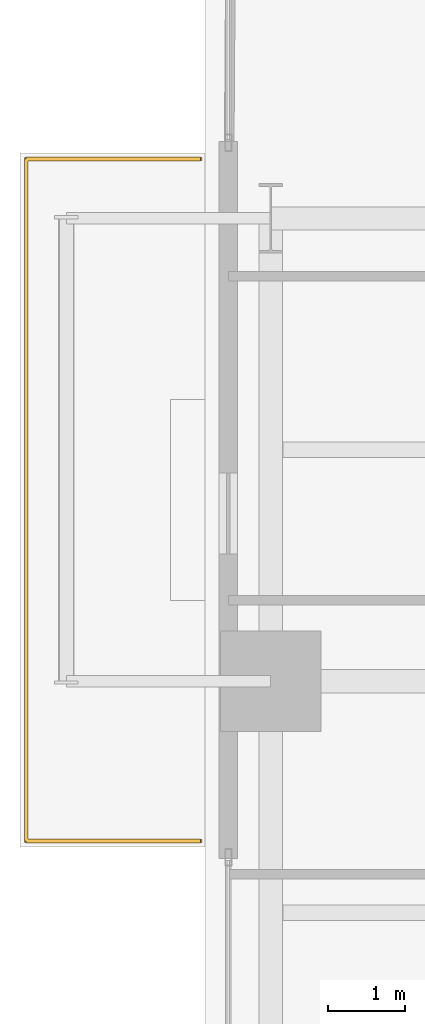
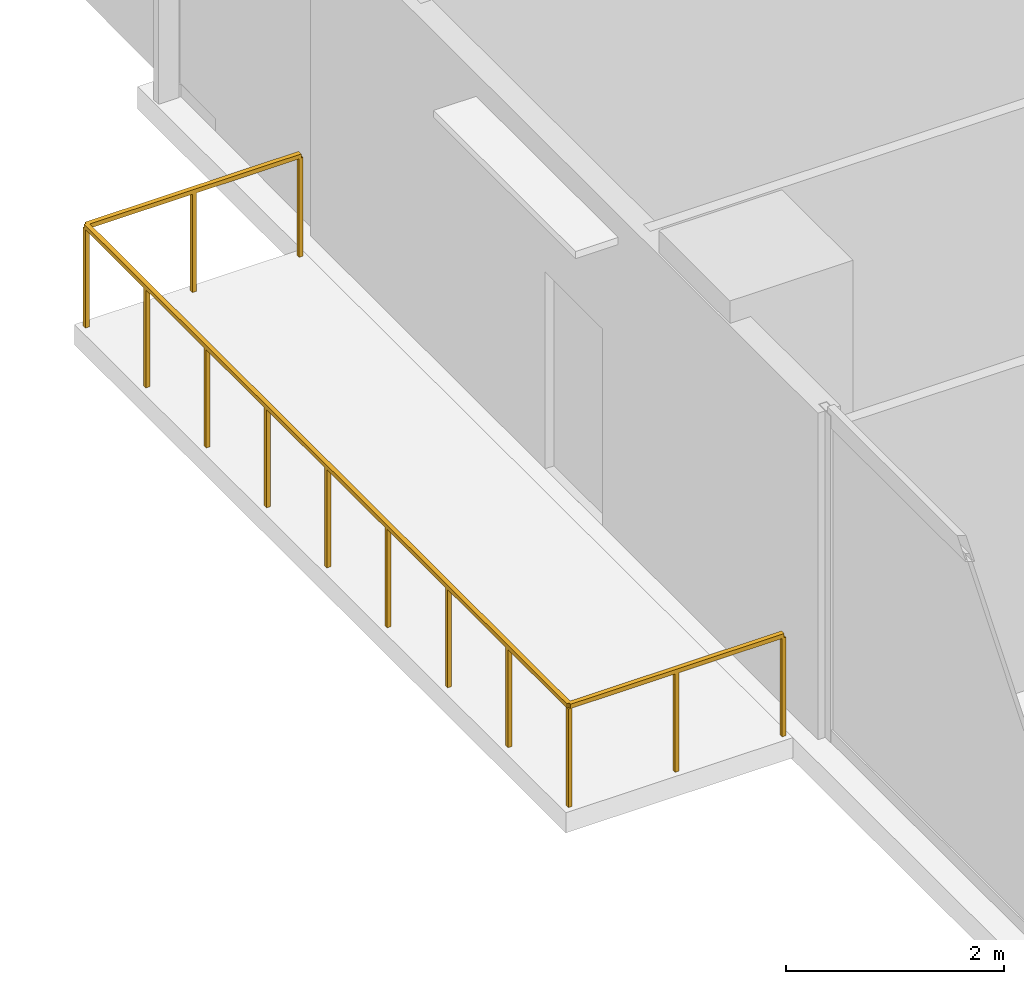
# One storey, part 27 of 27: 1 railing.
"""IFC4 building model written with IfcOpenShell, lengths in metres."""

from ifc_helpers import new_model, si_unit, direction, frame, origin, origin_2d, place, context, subcontext, project, spatial, rectangle, extrude, material, type_object, element, save


model = new_model("IFC4")

# Units and contexts
model_context = context("Model", 3, precision=1e-05, world=origin(), true_north=direction((0.0, 1.0)))
body_context = subcontext(model_context, "Body", "Model", "MODEL_VIEW")
ifc_project = project(units=[si_unit("LENGTHUNIT", "METRE"), si_unit("AREAUNIT", "SQUARE_METRE"), si_unit("VOLUMEUNIT", "CUBIC_METRE"), si_unit("PLANEANGLEUNIT", "RADIAN"), si_unit("MASSUNIT", "GRAM", prefix="KILO"), si_unit("THERMODYNAMICTEMPERATUREUNIT", "KELVIN"), si_unit("POWERUNIT", "WATT")], contexts=[model_context])

# Site, building, storey
site_placement = place(None, origin())
site = spatial("IfcSite", under=ifc_project, at=site_placement, CompositionType="ELEMENT")
building_placement = place(site_placement, origin())
building = spatial("IfcBuilding", under=site, at=building_placement, Name="Svarakhadi Broadcast Tower", CompositionType="ELEMENT")
storey_placement = place(building_placement, frame((0.0, 0.0, 44.10009765625)))
storey = spatial("IfcBuildingStorey", under=building, at=storey_placement, Name="L09", CompositionType="ELEMENT", Elevation=44.10009765625)

# Railing
ifc_material = material(Name="Laminated Structural SentryGlas Balustrade 25.5 mm", Category="glass")
railing_type = type_object("IfcRailingType", Name="Guard_Balcony_GR01", PredefinedType="BALUSTRADE", material=ifc_material)
railing_placement = place(storey_placement, frame((-0.06005859375, 33.080078125, 0.0)))
element("IfcRailing", 1, at=railing_placement, inside=storey, type_object=railing_type, Name="L09 West Tree Balcony Guard GR-05", PredefinedType="BALUSTRADE", context=body_context, shape_type="SweptSolid", body=[
    extrude(rectangle(XDim=0.048095703125, YDim=0.048095703125, at=origin_2d()), frame((0.0, 0.0, 1.1259765625), z_axis=(-1.0, 0.0, 0.0), x_axis=(0.0, -1.0, 0.0)), (0.0, 0.0, 1.0), 2.260009765625),
    extrude(rectangle(XDim=0.048095703125, YDim=0.048095703125, at=origin_2d()), frame((-2.260009765625, 0.0, 1.1259765625), z_axis=(0.0, 1.0, 0.0), x_axis=(-1.0, 0.0, 0.0)), (0.0, 0.0, 1.0), 8.83984375),
    extrude(rectangle(XDim=0.048095703125, YDim=0.048095703125, at=origin_2d()), frame((-2.260009765625, 8.83984375, 1.1259765625), z_axis=(1.0, 0.0, 0.0), x_axis=(0.0, 1.0, 0.0)), (0.0, 0.0, 1.0), 2.260009765625),
    extrude(rectangle(XDim=0.0419921875, YDim=0.0419921875, at=origin_2d()), origin(), (0.0, 0.0, 1.0), 1.101806640625),
    extrude(rectangle(XDim=0.0419921875, YDim=0.0419921875, at=origin_2d()), frame((-1.1298828125, 0.0, 0.0)), (0.0, 0.0, 1.0), 1.101806640625),
    extrude(rectangle(XDim=0.0419921875, YDim=0.0419921875, at=origin_2d()), frame((-2.260009765625, 0.0, 0.0)), (0.0, 0.0, 1.0), 1.101806640625),
    extrude(rectangle(XDim=0.0419921875, YDim=0.0419921875, at=origin_2d()), frame((-2.260009765625, 1.10498046875, 0.0)), (0.0, 0.0, 1.0), 1.101806640625),
    extrude(rectangle(XDim=0.0419921875, YDim=0.0419921875, at=origin_2d()), frame((-2.260009765625, 2.2099609375, 0.0)), (0.0, 0.0, 1.0), 1.101806640625),
    extrude(rectangle(XDim=0.0419921875, YDim=0.0419921875, at=origin_2d()), frame((-2.260009765625, 3.31494140625, 0.0)), (0.0, 0.0, 1.0), 1.101806640625),
    extrude(rectangle(XDim=0.0419921875, YDim=0.0419921875, at=origin_2d()), frame((-2.260009765625, 4.419921875, 0.0)), (0.0, 0.0, 1.0), 1.101806640625),
    extrude(rectangle(XDim=0.0419921875, YDim=0.0419921875, at=origin_2d()), frame((-2.260009765625, 5.52490234375, 0.0)), (0.0, 0.0, 1.0), 1.101806640625),
    extrude(rectangle(XDim=0.0419921875, YDim=0.0419921875, at=origin_2d()), frame((-2.260009765625, 6.6298828125, 0.0)), (0.0, 0.0, 1.0), 1.101806640625),
    extrude(rectangle(XDim=0.0419921875, YDim=0.0419921875, at=origin_2d()), frame((-2.260009765625, 7.73486328125, 0.0)), (0.0, 0.0, 1.0), 1.101806640625),
    extrude(rectangle(XDim=0.0419921875, YDim=0.0419921875, at=origin_2d()), frame((-2.260009765625, 8.83984375, 0.0)), (0.0, 0.0, 1.0), 1.101806640625),
    extrude(rectangle(XDim=0.0419921875, YDim=0.0419921875, at=origin_2d()), frame((-1.1298828125, 8.83984375, 0.0)), (0.0, 0.0, 1.0), 1.101806640625),
    extrude(rectangle(XDim=0.0419921875, YDim=0.0419921875, at=origin_2d()), frame((0.0, 8.83984375, 0.0)), (0.0, 0.0, 1.0), 1.101806640625),
])

save(model, "model.ifc")
